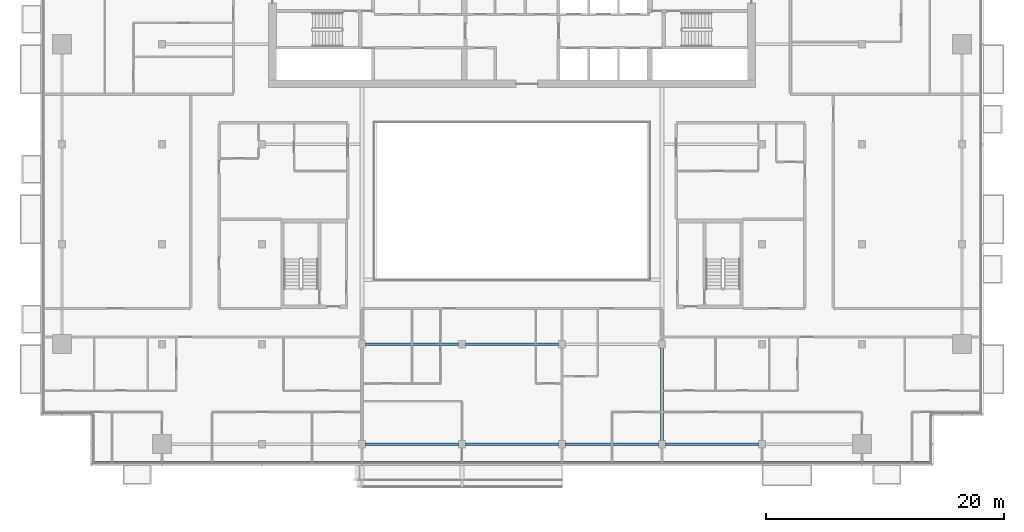
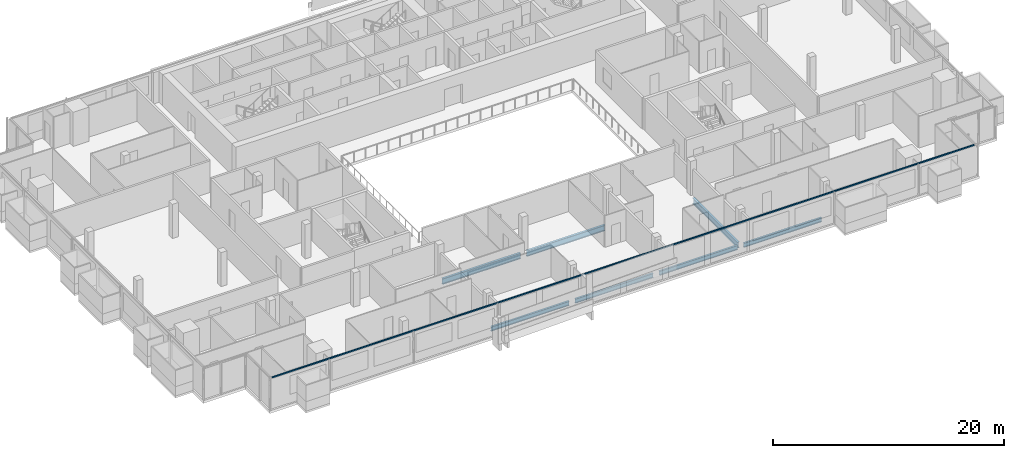
# One storey, part 5 of 27: 7 beams, 1 member, 1 element without a shape of its own.
"""IFC4 building model written with IfcOpenShell, lengths in metres."""

from ifc_helpers import new_model, si_unit, direction, frame, origin, origin_2d, place, context, subcontext, project, spatial, rectangle, i_section, extrude, material, material_profile, profile_set, type_object, element, aggregate, save


model = new_model("IFC4")

# Units and contexts
model_context = context("Model", 3, precision=1e-05, world=origin(), true_north=direction((0.0, 1.0)))
body_context = subcontext(model_context, "Body", "Model", "MODEL_VIEW")
ifc_project = project(units=[si_unit("LENGTHUNIT", "METRE"), si_unit("AREAUNIT", "SQUARE_METRE"), si_unit("VOLUMEUNIT", "CUBIC_METRE"), si_unit("PLANEANGLEUNIT", "RADIAN"), si_unit("MASSUNIT", "GRAM", prefix="KILO")], contexts=[model_context])

# Site, building, storey
site_placement = place(None, origin())
site = spatial("IfcSite", under=ifc_project, at=site_placement, CompositionType="ELEMENT")
building_placement = place(site_placement, origin())
building = spatial("IfcBuilding", under=site, at=building_placement, Name="Saffron Gate Tower", CompositionType="ELEMENT")
storey_placement = place(building_placement, frame((0.0, 0.0, 209.10009765625)))
storey = spatial("IfcBuildingStorey", under=building, at=storey_placement, Name="L50", CompositionType="ELEMENT", Elevation=209.10009765625)

# Beams
ifc_material_1 = material(Name="Structural steel S355", Category="steel")
ifc_material_profile_1 = material_profile(ifc_material_1, i_section(OverallWidth=0.219970703125, OverallDepth=0.60009765625, WebThickness=0.011962890625, FlangeThickness=0.01904296875, FilletRadius=0.02392578125, at=origin_2d()))
ifc_profile_set_1 = profile_set([ifc_material_profile_1], Name="Structural steel S355")
beam_type_1 = type_object("IfcBeamType", Name="B15 IPE 600", PredefinedType="BEAM", material=ifc_profile_set_1)
beam_1_placement = place(storey_placement, frame((100.199951171875, 32.10009765625, -0.580078125), z_axis=(0.0, 1.0, 0.0), x_axis=(-1.0, 0.0, 0.0)))
element("IfcBeam", 1, at=beam_1_placement, inside=storey, type_object=beam_type_1, Name="B15 FLOOR GIRDER", PredefinedType="BEAM", context=body_context, shape_type="SweptSolid", body=[
    extrude(i_section(OverallWidth=0.219970703125, OverallDepth=0.60009765625, WebThickness=0.011962890625, FlangeThickness=0.01904296875, FilletRadius=0.02392578125, at=origin_2d()), origin(), (0.0, 0.0, 1.0), 7.7998046875),
])
for number, where, z_axis, x_axis, name in (
    (2, (75.300048828125, 40.199951171875, -0.580078125), (1.0, 0.0, 0.0), (0.0, 1.0, 0.0), "B15 FLOOR GIRDER"),
    (3, (83.699951171875, 40.199951171875, -0.580078125), (1.0, 0.0, 0.0), (0.0, 1.0, 0.0), "B15 FLOOR GIRDER"),
):
    element("IfcBeam", number, at=place(storey_placement, frame(where, z_axis=z_axis, x_axis=x_axis)), inside=storey, type_object=beam_type_1, Name=name, PredefinedType="BEAM", context=body_context, shape_type="SweptSolid", body=[
        extrude(i_section(OverallWidth=0.219970703125, OverallDepth=0.60009765625, WebThickness=0.011962890625, FlangeThickness=0.01904296875, FilletRadius=0.02392578125, at=origin_2d()), origin(), (0.0, 0.0, 1.0), 7.800048828125),
    ])
ifc_material_profile_2 = material_profile(ifc_material_1, i_section(OverallWidth=0.18994140625, OverallDepth=0.449951171875, WebThickness=0.009521484375, FlangeThickness=0.0146484375, FilletRadius=0.02099609375, at=origin_2d()))
ifc_profile_set_2 = profile_set([ifc_material_profile_2], Name="Structural steel S355")
beam_type_2 = type_object("IfcBeamType", Name="B7 IPE 450", PredefinedType="SPANDREL", material=ifc_profile_set_2)
for number, where, z_axis, x_axis, name in (
    (4, (75.300048828125, 31.800048828125, -0.505126953125), (1.0, 0.0, 0.0), (0.0, 1.0, 0.0), "B7 SPANDREL BEAM"),
    (5, (83.699951171875, 31.800048828125, -0.505126953125), (1.0, 0.0, 0.0), (0.0, 1.0, 0.0), "B7 SPANDREL BEAM"),
):
    element("IfcBeam", number, at=place(storey_placement, frame(where, z_axis=z_axis, x_axis=x_axis)), inside=storey, type_object=beam_type_2, Name=name, PredefinedType="SPANDREL", context=body_context, shape_type="SweptSolid", body=[
        extrude(i_section(OverallWidth=0.18994140625, OverallDepth=0.449951171875, WebThickness=0.009521484375, FlangeThickness=0.0146484375, FilletRadius=0.02099609375, at=origin_2d()), origin(), (0.0, 0.0, 1.0), 7.800048828125),
    ])
beam_2_placement = place(storey_placement, frame((92.10009765625, 31.800048828125, -0.505126953125), z_axis=(1.0, 0.0, 0.0), x_axis=(0.0, 1.0, 0.0)))
element("IfcBeam", 6, at=beam_2_placement, inside=storey, type_object=beam_type_2, Name="B7 SPANDREL BEAM", PredefinedType="SPANDREL", context=body_context, shape_type="SweptSolid", body=[
    extrude(i_section(OverallWidth=0.18994140625, OverallDepth=0.449951171875, WebThickness=0.009521484375, FlangeThickness=0.0146484375, FilletRadius=0.02099609375, at=origin_2d()), origin(), (0.0, 0.0, 1.0), 7.7998046875),
])
beam_3_placement = place(storey_placement, frame((100.5, 31.800048828125, -0.505126953125), z_axis=(1.0, 0.0, 0.0), x_axis=(0.0, 1.0, 0.0)))
element("IfcBeam", 7, at=beam_3_placement, inside=storey, type_object=beam_type_2, Name="B7 SPANDREL BEAM", PredefinedType="SPANDREL", context=body_context, shape_type="SweptSolid", body=[
    extrude(i_section(OverallWidth=0.18994140625, OverallDepth=0.449951171875, WebThickness=0.009521484375, FlangeThickness=0.0146484375, FilletRadius=0.02099609375, at=origin_2d()), origin(), (0.0, 0.0, 1.0), 7.800048828125),
])

# Curtain wall, member
ifc_material_2 = material(Name="Aluminium, bronze anodised", Category="aluminium")
curtain_wall_type = type_object("IfcCurtainWallType", Name="CWS1 curtain wall front facade", PredefinedType="NOTDEFINED", material=ifc_material_2)
curtain_wall_placement = place(storey_placement, origin())
curtain_wall = element("IfcCurtainWall", 8, at=curtain_wall_placement, inside=storey, type_object=curtain_wall_type, Name="CWS1 run 1", PredefinedType="NOTDEFINED")
ifc_material_profile_3 = material_profile(ifc_material_2, rectangle(XDim=0.1201171875, YDim=0.1201171875, at=origin_2d()))
ifc_profile_set_3 = profile_set([ifc_material_profile_3], Name="Aluminium, bronze anodised")
member_type = type_object("IfcMemberType", Name="CWS1 head transom", PredefinedType="USERDEFINED", material=ifc_profile_set_3)
member_placement = place(storey_placement, frame((52.568115234375, 30.248046875, 3.260009765625), z_axis=(1.0, 0.0, 0.0), x_axis=(0.0, 1.0, 0.0)))
member = element("IfcMember", 9, at=member_placement, type_object=member_type, Name="CWS1 head transom", ObjectType="TRANSOM", PredefinedType="USERDEFINED", context=body_context, shape_type="SweptSolid", body=[
    extrude(rectangle(XDim=0.1201171875, YDim=0.1201171875, at=origin_2d()), origin(), (0.0, 0.0, 1.0), 70.06396484375),
])
aggregate(curtain_wall, [member])

save(model, "model.ifc")
